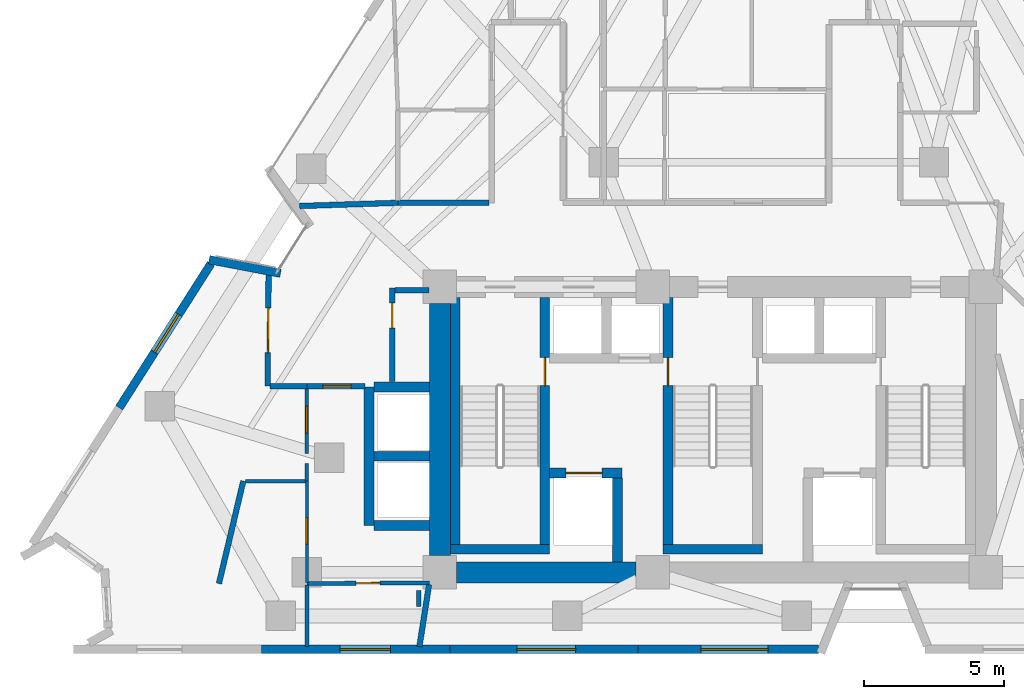
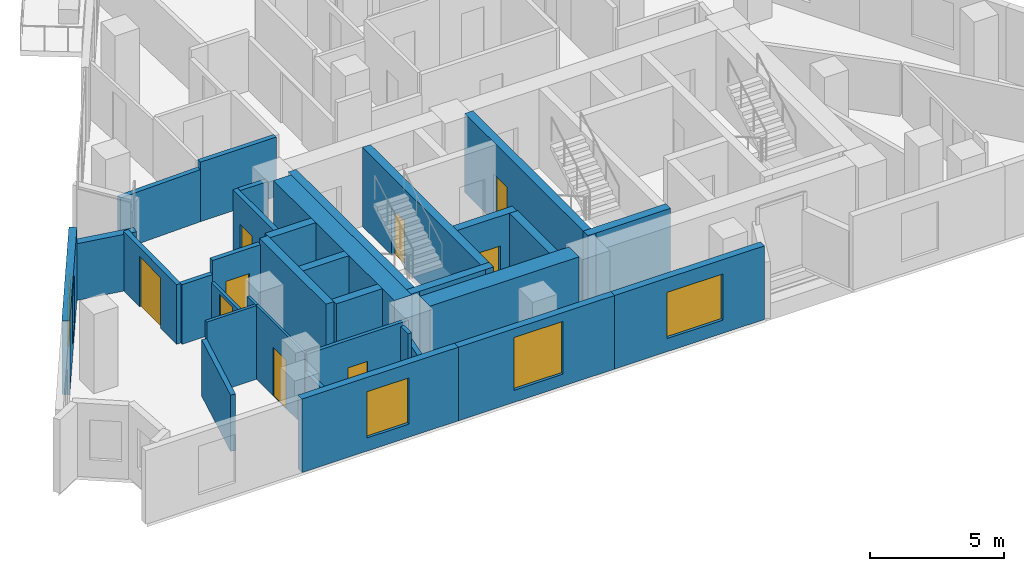
# One storey, part 5 of 11: 34 walls, 9 doors, 4 windows, 13 openings.
"""IFC4 building model written with IfcOpenShell, lengths in metres."""

from ifc_helpers import new_model, si_unit, direction, frame, frame_2d, origin, place, context, subcontext, project, spatial, rectangle, extrude, material, layer, layer_set, type_object, element, fill, save


model = new_model("IFC4")

# Units and contexts
model_context = context("Model", 3, precision=1e-05, world=origin(), true_north=direction((0.0, 1.0)))
body_context = subcontext(model_context, "Body", "Model", "MODEL_VIEW")
ifc_project = project(units=[si_unit("LENGTHUNIT", "METRE"), si_unit("AREAUNIT", "SQUARE_METRE"), si_unit("VOLUMEUNIT", "CUBIC_METRE"), si_unit("PLANEANGLEUNIT", "RADIAN"), si_unit("MASSUNIT", "GRAM", prefix="KILO")], contexts=[model_context])

# Site, building, storey
site_placement = place(None, origin())
site = spatial("IfcSite", under=ifc_project, at=site_placement, CompositionType="ELEMENT")
building_placement = place(site_placement, origin())
building = spatial("IfcBuilding", under=site, at=building_placement, Name="Almagre Mirador Tower", CompositionType="ELEMENT")
storey_placement = place(building_placement, frame((0.0, 0.0, 135.60009765625)))
storey = spatial("IfcBuildingStorey", under=building, at=storey_placement, Name="L34", CompositionType="ELEMENT", Elevation=135.60009765625)

# Wall
ifc_material_1 = material(Name="Precast concrete C50/60", Category="concrete")
ifc_layer_1 = layer(ifc_material_1, 0.300048828125)
ifc_layer_set_1 = layer_set([ifc_layer_1], Name="Precast concrete C50/60")
wall_type_1 = type_object("IfcWallType", Name="WAL-EXT-300", PredefinedType="SOLIDWALL", material=ifc_layer_set_1)
wall_1_placement = place(storey_placement, frame((19.3095703125, 15.71923828125, 0.0), z_axis=(0.0, 0.0, 1.0), x_axis=(0.982248657163, -0.187583516072, 0.0)))
element("IfcWall", 1, at=wall_1_placement, inside=storey, type_object=wall_type_1, Name="L34 expressed almagre precast frame wall 01", PredefinedType="SOLIDWALL", context=body_context, shape_type="SweptSolid", body=[
    extrude(rectangle(XDim=2.593994140625, YDim=0.300048828125, at=frame_2d((1.296875, 0.0))), origin(), (0.0, 0.0, 1.0), 2.574951171875),
])

# Wall, opening, window
wall_2_placement = place(storey_placement, frame((41.076904296875, 1.800048828125, 0.0), z_axis=(0.0, 0.0, 1.0), x_axis=(-1.0, 0.0, 0.0)))
wall_2 = element("IfcWall", 2, at=wall_2_placement, inside=storey, type_object=wall_type_1, Name="L34 expressed almagre precast frame wall 26", PredefinedType="SOLIDWALL", context=body_context, shape_type="SweptSolid", body=[
    extrude(rectangle(XDim=6.447998046875, YDim=0.300048828125, at=frame_2d((3.22412109375, 0.0))), origin(), (0.0, 0.0, 1.0), 3.349853515625),
])
opening_1_placement = place(wall_2_placement, frame((1.800048828125, 0.0, 0.60009765625)))
opening_1 = element("IfcOpeningElement", 3, at=opening_1_placement, cuts=wall_2, Name="Opening WN-02", PredefinedType="OPENING", context=body_context, shape_type="SweptSolid", body=[
    extrude(rectangle(XDim=2.39990234375, YDim=2.10009765625, at=frame_2d((1.199951171875, 1.050048828125))), frame((0.0, 0.159902, 0.0), z_axis=(0.0, -1.0, 0.0), x_axis=(1.0, 0.0, 0.0)), (0.0, 0.0, 1.0), 0.320049),
])
ifc_material_2 = material(Name="Dark solar-control laminated hurricane glass", Category="glass")
window_type_1 = type_object("IfcWindowType", Name="WIN-2400X2100", PartitioningType="TRIPLE_PANEL_VERTICAL", PredefinedType="WINDOW", material=ifc_material_2)
window_1_placement = place(opening_1_placement, origin())
window_1 = element("IfcWindow", 4, at=window_1_placement, inside=storey, type_object=window_type_1, Name="L34 recessed hurricane window L34-RST-C", OverallHeight=2.10009765625, OverallWidth=2.39990234375, PartitioningType="SINGLE_PANEL", PredefinedType="WINDOW", context=body_context, shape_type="SweptSolid", body=[
    extrude(rectangle(XDim=2.39990234375, YDim=2.10009765625, at=frame_2d((1.199951171875, 1.050048828125))), frame((0.0, 0.030029296875, 0.0), z_axis=(0.0, -1.0, 0.0), x_axis=(1.0, 0.0, 0.0)), (0.0, 0.0, 1.0), 0.06005859375),
])
fill(opening_1, window_1)

wall_3_placement = place(storey_placement, frame((34.62890625, 1.800048828125, 0.0), z_axis=(0.0, 0.0, 1.0), x_axis=(-1.0, 0.0, 0.0)))
wall_3 = element("IfcWall", 5, at=wall_3_placement, inside=storey, type_object=wall_type_1, Name="L34 expressed almagre precast frame wall 27", PredefinedType="SOLIDWALL", context=body_context, shape_type="SweptSolid", body=[
    extrude(rectangle(XDim=6.722900390625, YDim=0.300048828125, at=frame_2d((3.361328125, 0.0))), origin(), (0.0, 0.0, 1.0), 3.349853515625),
])
opening_2_placement = place(wall_3_placement, frame((2.22509765625, 0.0, 0.550048828125)))
opening_2 = element("IfcOpeningElement", 6, at=opening_2_placement, cuts=wall_3, Name="Opening WN-05", PredefinedType="OPENING", context=body_context, shape_type="SweptSolid", body=[
    extrude(rectangle(XDim=2.10009765625, YDim=2.39990234375, at=frame_2d((1.050048828125, 1.199951171875))), frame((0.0, 0.159902, 0.0), z_axis=(0.0, -1.0, 0.0), x_axis=(1.0, 0.0, 0.0)), (0.0, 0.0, 1.0), 0.320049),
])
ifc_material_3 = material(Name="Dark solar-control laminated hurricane glass", Category="glass")
window_type_2 = type_object("IfcWindowType", Name="WIN-2100X2400", PartitioningType="DOUBLE_PANEL_VERTICAL", PredefinedType="WINDOW", material=ifc_material_3)
window_2_placement = place(opening_2_placement, origin())
window_2 = element("IfcWindow", 7, at=window_2_placement, inside=storey, type_object=window_type_2, Name="L34 recessed hurricane window L34-RST-C", OverallHeight=2.39990234375, OverallWidth=2.10009765625, PartitioningType="SINGLE_PANEL", PredefinedType="WINDOW", context=body_context, shape_type="SweptSolid", body=[
    extrude(rectangle(XDim=2.10009765625, YDim=2.39990234375, at=frame_2d((1.050048828125, 1.199951171875))), frame((0.0, 0.030029296875, 0.0), z_axis=(0.0, -1.0, 0.0), x_axis=(1.0, 0.0, 0.0)), (0.0, 0.0, 1.0), 0.06005859375),
])
fill(opening_2, window_2)

wall_4_placement = place(storey_placement, frame((27.906005859375, 1.800048828125, 0.0), z_axis=(0.0, 0.0, 1.0), x_axis=(-1.0, 0.0, 0.0)))
wall_4 = element("IfcWall", 8, at=wall_4_placement, inside=storey, type_object=wall_type_1, Name="L34 expressed almagre precast frame wall 28", PredefinedType="SOLIDWALL", context=body_context, shape_type="SweptSolid", body=[
    extrude(rectangle(XDim=6.722900390625, YDim=0.300048828125, at=frame_2d((3.361328125, 0.0))), origin(), (0.0, 0.0, 1.0), 3.349853515625),
])
opening_3_placement = place(wall_4_placement, frame((2.125, 0.0, 0.60009765625)))
opening_3 = element("IfcOpeningElement", 9, at=opening_3_placement, cuts=wall_4, Name="Opening WN-01", PredefinedType="OPENING", context=body_context, shape_type="SweptSolid", body=[
    extrude(rectangle(XDim=1.800048828125, YDim=2.10009765625, at=frame_2d((0.89990234375, 1.050048828125))), frame((0.0, 0.159902, 0.0), z_axis=(0.0, -1.0, 0.0), x_axis=(1.0, 0.0, 0.0)), (0.0, 0.0, 1.0), 0.320049),
])
ifc_material_4 = material(Name="Dark solar-control laminated hurricane glass", Category="glass")
window_type_3 = type_object("IfcWindowType", Name="WIN-1800X2100", PartitioningType="DOUBLE_PANEL_VERTICAL", PredefinedType="WINDOW", material=ifc_material_4)
window_3_placement = place(opening_3_placement, origin())
window_3 = element("IfcWindow", 10, at=window_3_placement, inside=storey, type_object=window_type_3, Name="L34 recessed hurricane window L34-UB-HB", OverallHeight=2.10009765625, OverallWidth=1.800048828125, PartitioningType="SINGLE_PANEL", PredefinedType="WINDOW", context=body_context, shape_type="SweptSolid", body=[
    extrude(rectangle(XDim=1.800048828125, YDim=2.10009765625, at=frame_2d((0.89990234375, 1.050048828125))), frame((0.0, 0.030029296875, 0.0), z_axis=(0.0, -1.0, 0.0), x_axis=(1.0, 0.0, 0.0)), (0.0, 0.0, 1.0), 0.06005859375),
])
fill(opening_3, window_3)

wall_5_placement = place(storey_placement, frame((16.097900390625, 10.43359375, 0.0), z_axis=(0.0, 0.0, 1.0), x_axis=(0.537126867387, 0.843501469075, 0.0)))
wall_5 = element("IfcWall", 11, at=wall_5_placement, inside=storey, type_object=wall_type_1, Name="L34 expressed almagre precast frame wall 35", PredefinedType="SOLIDWALL", context=body_context, shape_type="SweptSolid", body=[
    extrude(rectangle(XDim=6.09521484375, YDim=0.300048828125, at=frame_2d((3.047607421875, 0.0))), origin(), (0.0, 0.0, 1.0), 3.349853515625),
])
opening_4_placement = place(wall_5_placement, frame((2.35009765625, 0.0, 0.550048828125)))
opening_4 = element("IfcOpeningElement", 12, at=opening_4_placement, cuts=wall_5, Name="Opening WN-06", PredefinedType="OPENING", context=body_context, shape_type="SweptSolid", body=[
    extrude(rectangle(XDim=1.60009765625, YDim=2.199951171875, at=frame_2d((0.800048828125, 1.10009765625))), frame((0.0, 0.159902, 0.0), z_axis=(0.0, -1.0, 0.0), x_axis=(1.0, 0.0, 0.0)), (0.0, 0.0, 1.0), 0.320049),
])
ifc_material_5 = material(Name="Dark solar-control laminated hurricane glass", Category="glass")
window_type_4 = type_object("IfcWindowType", Name="WIN-1600X2200", PartitioningType="DOUBLE_PANEL_VERTICAL", PredefinedType="WINDOW", material=ifc_material_5)
window_4_placement = place(opening_4_placement, origin())
window_4 = element("IfcWindow", 13, at=window_4_placement, inside=storey, type_object=window_type_4, Name="L34 recessed hurricane window L34-RST-A", OverallHeight=2.199951171875, OverallWidth=1.60009765625, PartitioningType="SINGLE_PANEL", PredefinedType="WINDOW", context=body_context, shape_type="SweptSolid", body=[
    extrude(rectangle(XDim=1.60009765625, YDim=2.199951171875, at=frame_2d((0.800048828125, 1.10009765625))), frame((0.0, 0.030029296875, 0.0), z_axis=(0.0, -1.0, 0.0), x_axis=(1.0, 0.0, 0.0)), (0.0, 0.0, 1.0), 0.06005859375),
])
fill(opening_4, window_4)

# Wall, opening, door
ifc_material_6 = material(Name="Gypsum acoustic stud partition", Category="other")
ifc_layer_2 = layer(ifc_material_6, 0.10009765625)
ifc_layer_set_2 = layer_set([ifc_layer_2], Name="Gypsum acoustic stud partition")
wall_type_2 = type_object("IfcWallType", Name="WAL-PRT-100-CLS", PredefinedType="PARTITIONING", material=ifc_layer_set_2)
wall_6_placement = place(storey_placement, frame((22.800048828125, 7.81005859375, 0.0), z_axis=(0.0, 0.0, 1.0), x_axis=(0.0, -1.0, 0.0)))
wall_6 = element("IfcWall", 14, at=wall_6_placement, inside=storey, type_object=wall_type_2, Name="L34 interior partition 026", PredefinedType="PARTITIONING", context=body_context, shape_type="SweptSolid", body=[
    extrude(rectangle(XDim=3.6201171875, YDim=0.10009765625, at=frame_2d((1.81005859375, 0.0))), origin(), (0.0, 0.0, 1.0), 3.349853515625),
])
opening_5_placement = place(wall_6_placement, frame((1.302001953125, 0.0, 0.0)))
opening_5 = element("IfcOpeningElement", 15, at=opening_5_placement, cuts=wall_6, Name="Opening UD-01", PredefinedType="OPENING", context=body_context, shape_type="SweptSolid", body=[
    extrude(rectangle(XDim=0.949951171875, YDim=2.199951171875, at=frame_2d((0.47509765625, 1.10009765625))), frame((0.0, 0.060049, 0.0), z_axis=(0.0, -1.0, 0.0), x_axis=(1.0, 0.0, 0.0)), (0.0, 0.0, 1.0), 0.120098),
])
ifc_material_7 = material(Name="Solid American walnut timber", Category="wood")
door_type_1 = type_object("IfcDoorType", Name="DOR-UNR-950X2200", OperationType="NOTDEFINED", PredefinedType="DOOR", material=ifc_material_7)
door_1_placement = place(opening_5_placement, origin())
door_1 = element("IfcDoor", 16, at=door_1_placement, inside=storey, type_object=door_type_1, Name="DR-1112 L34 interior door L34-UB-ST to L34-UB-ST1", OperationType="SINGLE_SWING_LEFT", OverallHeight=2.199951171875, OverallWidth=0.949951171875, PredefinedType="DOOR", context=body_context, shape_type="SweptSolid", body=[
    extrude(rectangle(XDim=0.949951171875, YDim=2.199951171875, at=frame_2d((0.47509765625, 1.10009765625))), frame((0.0, 0.02490234375, 0.0), z_axis=(0.0, -1.0, 0.0), x_axis=(1.0, 0.0, 0.0)), (0.0, 0.0, 1.0), 0.050048828125),
])
fill(opening_5, door_1)

# Wall
ifc_material_8 = material(Name="Gypsum acoustic stud partition", Category="other")
ifc_layer_3 = layer(ifc_material_8, 0.125)
ifc_layer_set_3 = layer_set([ifc_layer_3], Name="Gypsum acoustic stud partition")
wall_type_3 = type_object("IfcWallType", Name="WAL-PRT-125-UTL", PredefinedType="PARTITIONING", material=ifc_layer_set_3)
wall_7_placement = place(storey_placement, frame((22.800048828125, 8.429931640625, 0.0), z_axis=(0.0, 0.0, 1.0), x_axis=(0.0, -1.0, 0.0)))
element("IfcWall", 17, at=wall_7_placement, inside=storey, type_object=wall_type_3, Name="L34 interior partition 024", PredefinedType="PARTITIONING", context=body_context, shape_type="SweptSolid", body=[
    extrude(rectangle(XDim=0.619873046875, YDim=0.125, at=frame_2d((0.31005859375, 0.0))), origin(), (0.0, 0.0, 1.0), 3.349853515625),
])

# Wall, opening, door
wall_8_placement = place(storey_placement, frame((22.800048828125, 11.114990234375, 0.0), z_axis=(0.0, 0.0, 1.0), x_axis=(0.0, -1.0, 0.0)))
wall_8 = element("IfcWall", 18, at=wall_8_placement, inside=storey, type_object=wall_type_3, Name="L34 interior partition 025", PredefinedType="PARTITIONING", context=body_context, shape_type="SweptSolid", body=[
    extrude(rectangle(XDim=2.31494140625, YDim=0.125, at=frame_2d((1.157470703125, 0.0))), origin(), (0.0, 0.0, 1.0), 2.371826171875),
])
opening_6_placement = place(wall_8_placement, frame((0.639892578125, 0.0, 0.0)))
opening_6 = element("IfcOpeningElement", 19, at=opening_6_placement, cuts=wall_8, Name="Opening UD-01", PredefinedType="OPENING", context=body_context, shape_type="SweptSolid", body=[
    extrude(rectangle(XDim=0.949951171875, YDim=2.199951171875, at=frame_2d((0.47509765625, 1.10009765625))), frame((0.0, 0.0725, 0.0), z_axis=(0.0, -1.0, 0.0), x_axis=(1.0, 0.0, 0.0)), (0.0, 0.0, 1.0), 0.145),
])
door_2_placement = place(opening_6_placement, origin())
door_2 = element("IfcDoor", 20, at=door_2_placement, inside=storey, type_object=door_type_1, Name="DR-1111 L34 interior door L34-UB-ST to L34-UB-KT", OperationType="SINGLE_SWING_RIGHT", OverallHeight=2.199951171875, OverallWidth=0.949951171875, PredefinedType="DOOR", context=body_context, shape_type="SweptSolid", body=[
    extrude(rectangle(XDim=0.949951171875, YDim=2.199951171875, at=frame_2d((0.47509765625, 1.10009765625))), frame((0.0, 0.02490234375, 0.0), z_axis=(0.0, -1.0, 0.0), x_axis=(1.0, 0.0, 0.0)), (0.0, 0.0, 1.0), 0.050048828125),
])
fill(opening_6, door_2)

# Wall
wall_9_placement = place(storey_placement, frame((20.614990234375, 7.81005859375, 0.0), z_axis=(0.0, 0.0, 1.0), x_axis=(1.0, 0.0, 0.0)))
element("IfcWall", 21, at=wall_9_placement, inside=storey, type_object=wall_type_3, Name="L34 interior partition 028", PredefinedType="PARTITIONING", context=body_context, shape_type="SweptSolid", body=[
    extrude(rectangle(XDim=2.137451171875, YDim=0.125, at=frame_2d((1.06884765625, 0.0))), origin(), (0.0, 0.0, 1.0), 3.349853515625),
])

# Wall, opening, door
ifc_material_9 = material(Name="Gypsum acoustic stud partition", Category="other")
ifc_layer_4 = layer(ifc_material_9, 0.14990234375)
ifc_layer_set_4 = layer_set([ifc_layer_4], Name="Gypsum acoustic stud partition")
wall_type_4 = type_object("IfcWallType", Name="WAL-PRT-150-STD", PredefinedType="PARTITIONING", material=ifc_layer_set_4)
wall_10_placement = place(storey_placement, frame((22.800048828125, 4.14990234375, 0.0), z_axis=(0.0, 0.0, 1.0), x_axis=(0.999983481992, 0.005747672915, 0.0)))
wall_10 = element("IfcWall", 22, at=wall_10_placement, inside=storey, type_object=wall_type_4, Name="L34 interior partition 023", PredefinedType="PARTITIONING", context=body_context, shape_type="SweptSolid", body=[
    extrude(rectangle(XDim=4.375, YDim=0.14990234375, at=frame_2d((2.1875, 0.0))), origin(), (0.0, 0.0, 1.0), 3.349853515625),
])
opening_7_placement = place(wall_10_placement, frame((1.762451171875, 0.0, 0.0)))
opening_7 = element("IfcOpeningElement", 23, at=opening_7_placement, cuts=wall_10, Name="Opening UD-04", PredefinedType="OPENING", context=body_context, shape_type="SweptSolid", body=[
    extrude(rectangle(XDim=0.85009765625, YDim=2.10009765625, at=frame_2d((0.425048828125, 1.050048828125))), frame((0.0, 0.084951, 0.0), z_axis=(0.0, -1.0, 0.0), x_axis=(1.0, 0.0, 0.0)), (0.0, 0.0, 1.0), 0.169902),
])
ifc_material_10 = material(Name="Moisture-resistant oak timber", Category="wood")
door_type_2 = type_object("IfcDoorType", Name="DOR-UNR-850X2100", OperationType="NOTDEFINED", PredefinedType="DOOR", material=ifc_material_10)
door_3_placement = place(opening_7_placement, origin())
door_3 = element("IfcDoor", 24, at=door_3_placement, inside=storey, type_object=door_type_2, Name="DR-1113 L34 interior door L34-UB-ST to L34-UB-HB", OperationType="SINGLE_SWING_RIGHT", OverallHeight=2.10009765625, OverallWidth=0.85009765625, PredefinedType="DOOR", context=body_context, shape_type="SweptSolid", body=[
    extrude(rectangle(XDim=0.85009765625, YDim=2.10009765625, at=frame_2d((0.425048828125, 1.050048828125))), frame((0.0, 0.02490234375, 0.0), z_axis=(0.0, -1.0, 0.0), x_axis=(1.0, 0.0, 0.0)), (0.0, 0.0, 1.0), 0.050048828125),
])
fill(opening_7, door_3)

# Walls
wall_11_placement = place(storey_placement, frame((22.800048828125, 4.090087890625, 0.0), z_axis=(0.0, 0.0, 1.0), x_axis=(0.0, -1.0, 0.0)))
element("IfcWall", 25, at=wall_11_placement, inside=storey, type_object=wall_type_4, Name="L34 interior partition 068", PredefinedType="PARTITIONING", context=body_context, shape_type="SweptSolid", body=[
    extrude(rectangle(XDim=2.190185546875, YDim=0.14990234375, at=frame_2d((1.09521484375, 0.0))), origin(), (0.0, 0.0, 1.0), 2.56982421875),
])
wall_12_placement = place(storey_placement, frame((26.800048828125, 3.339111328125, 0.0), z_axis=(0.0, 0.0, 1.0), x_axis=(0.0, 1.0, 0.0)))
element("IfcWall", 26, at=wall_12_placement, inside=storey, type_object=wall_type_4, Name="L34 interior partition 069", PredefinedType="PARTITIONING", context=body_context, shape_type="SweptSolid", body=[
    extrude(rectangle(XDim=0.555908203125, YDim=0.14990234375, at=frame_2d((0.27783203125, 0.0))), origin(), (0.0, 0.0, 1.0), 3.349853515625),
])

# Wall, opening, door
ifc_material_11 = material(Name="Gypsum acoustic stud partition", Category="other")
ifc_layer_5 = layer(ifc_material_11, 0.199951171875)
ifc_layer_set_5 = layer_set([ifc_layer_5], Name="Gypsum acoustic stud partition")
wall_type_5 = type_object("IfcWallType", Name="WAL-PRT-200-EI60", PredefinedType="PARTITIONING", material=ifc_layer_set_5)
wall_13_placement = place(storey_placement, frame((25.85009765625, 11.3701171875, 0.0), z_axis=(0.0, 0.0, 1.0), x_axis=(0.0, 1.0, 0.0)))
wall_13 = element("IfcWall", 27, at=wall_13_placement, inside=storey, type_object=wall_type_5, Name="L34 core ancillary west wall", PredefinedType="PARTITIONING", context=body_context, shape_type="SweptSolid", body=[
    extrude(rectangle(XDim=3.33984375, YDim=0.199951171875, at=frame_2d((1.669921875, 0.0))), origin(), (0.0, 0.0, 1.0), 3.349853515625),
])
opening_8_placement = place(wall_13_placement, frame((1.89990234375, 0.0, 0.0)))
opening_8 = element("IfcOpeningElement", 28, at=opening_8_placement, cuts=wall_13, Name="Opening ID-03", PredefinedType="OPENING", context=body_context, shape_type="SweptSolid", body=[
    extrude(rectangle(XDim=0.89990234375, YDim=2.10009765625, at=frame_2d((0.449951171875, 1.050048828125))), frame((0.0, 0.110098, 0.0), z_axis=(0.0, -1.0, 0.0), x_axis=(1.0, 0.0, 0.0)), (0.0, 0.0, 1.0), 0.219951),
])
ifc_material_12 = material(Name="Fire-rated hollow steel", Category="steel")
door_type_3 = type_object("IfcDoorType", Name="DOR-FD60-900X2100", OperationType="NOTDEFINED", PredefinedType="DOOR", material=ifc_material_12)
door_4_placement = place(opening_8_placement, origin())
door_4 = element("IfcDoor", 29, at=door_4_placement, inside=storey, type_object=door_type_3, Name="DR-1101 L34 core ancillary corridor door", OperationType="SINGLE_SWING_RIGHT", OverallHeight=2.10009765625, OverallWidth=0.89990234375, PredefinedType="DOOR", context=body_context, shape_type="SweptSolid", body=[
    extrude(rectangle(XDim=0.89990234375, YDim=2.10009765625, at=frame_2d((0.449951171875, 1.050048828125))), frame((0.0, 0.02490234375, 0.0), z_axis=(0.0, -1.0, 0.0), x_axis=(1.0, 0.0, 0.0)), (0.0, 0.0, 1.0), 0.050048828125),
])
fill(opening_8, door_4)

# Wall
wall_14_placement = place(storey_placement, frame((25.955078125, 14.6201171875, 0.0), z_axis=(0.0, 0.0, 1.0), x_axis=(1.0, 0.0, 0.0)))
element("IfcWall", 30, at=wall_14_placement, inside=storey, type_object=wall_type_5, Name="L34 core ancillary north wall", PredefinedType="PARTITIONING", context=body_context, shape_type="SweptSolid", body=[
    extrude(rectangle(XDim=1.204833984375, YDim=0.199951171875, at=frame_2d((0.6025390625, 0.0))), origin(), (0.0, 0.0, 1.0), 3.349853515625),
])

# Wall, opening, door
wall_15_placement = place(storey_placement, frame((21.43408203125, 15.215087890625, 0.0), z_axis=(0.0, 0.0, 1.0), x_axis=(-0.008512399832, -0.999963768868, 0.0)))
wall_15 = element("IfcWall", 31, at=wall_15_placement, inside=storey, type_object=wall_type_5, Name="L34 interior partition 001", PredefinedType="PARTITIONING", context=body_context, shape_type="SweptSolid", body=[
    extrude(rectangle(XDim=4.015380859375, YDim=0.199951171875, at=frame_2d((2.0078125, 0.0))), origin(), (0.0, 0.0, 1.0), 2.708984375),
])
opening_9_placement = place(wall_15_placement, frame((1.217041015625, 0.0, 0.0)))
opening_9 = element("IfcOpeningElement", 32, at=opening_9_placement, cuts=wall_15, Name="Opening ID-05", PredefinedType="OPENING", context=body_context, shape_type="SweptSolid", body=[
    extrude(rectangle(XDim=1.60009765625, YDim=2.300048828125, at=frame_2d((0.800048828125, 1.14990234375))), frame((0.0, 0.110098, 0.0), z_axis=(0.0, -1.0, 0.0), x_axis=(1.0, 0.0, 0.0)), (0.0, 0.0, 1.0), 0.219951),
])
ifc_material_13 = material(Name="Fire-rated acoustic timber", Category="wood")
door_type_4 = type_object("IfcDoorType", Name="DOR-FD60-1600X2300", OperationType="DOUBLE_DOOR_SINGLE_SWING", PredefinedType="DOOR", material=ifc_material_13)
door_5_placement = place(opening_9_placement, origin())
door_5 = element("IfcDoor", 33, at=door_5_placement, inside=storey, type_object=door_type_4, Name="DR-1106 L34 interior door L34-RCOR to L34-RST-A", OperationType="DOUBLE_DOOR_SINGLE_SWING", OverallHeight=2.300048828125, OverallWidth=1.60009765625, PredefinedType="DOOR", context=body_context, shape_type="SweptSolid", body=[
    extrude(rectangle(XDim=1.60009765625, YDim=2.300048828125, at=frame_2d((0.800048828125, 1.14990234375))), frame((0.0, 0.02490234375, 0.0), z_axis=(0.0, -1.0, 0.0), x_axis=(1.0, 0.0, 0.0)), (0.0, 0.0, 1.0), 0.050048828125),
])
fill(opening_9, door_5)

wall_16_placement = place(storey_placement, frame((22.800048828125, 11.199951171875, 0.0), z_axis=(0.0, 0.0, 1.0), x_axis=(1.0, 0.0, 0.0)))
wall_16 = element("IfcWall", 34, at=wall_16_placement, inside=storey, type_object=wall_type_5, Name="L34 interior partition 002", PredefinedType="PARTITIONING", context=body_context, shape_type="SweptSolid", body=[
    extrude(rectangle(XDim=2.069091796875, YDim=0.199951171875, at=frame_2d((1.03466796875, 0.0))), origin(), (0.0, 0.0, 1.0), 3.349853515625),
])
opening_10_placement = place(wall_16_placement, frame((0.574951171875, 0.0, 0.0)))
opening_10 = element("IfcOpeningElement", 35, at=opening_10_placement, cuts=wall_16, Name="Opening ID-01", PredefinedType="OPENING", context=body_context, shape_type="SweptSolid", body=[
    extrude(rectangle(XDim=1.0, YDim=2.199951171875, at=frame_2d((0.5, 1.10009765625))), frame((0.0, 0.110098, 0.0), z_axis=(0.0, -1.0, 0.0), x_axis=(1.0, 0.0, 0.0)), (0.0, 0.0, 1.0), 0.219951),
])
ifc_material_14 = material(Name="Fire-rated walnut timber", Category="wood")
door_type_5 = type_object("IfcDoorType", Name="DOR-FD60-1000X2200", OperationType="NOTDEFINED", PredefinedType="DOOR", material=ifc_material_14)
door_6_placement = place(opening_10_placement, origin())
door_6 = element("IfcDoor", 36, at=door_6_placement, inside=storey, type_object=door_type_5, Name="DR-1110 L34 interior door L34-RCOR to L34-UB-ST", OperationType="SINGLE_SWING_LEFT", OverallHeight=2.199951171875, OverallWidth=1.0, PredefinedType="DOOR", context=body_context, shape_type="SweptSolid", body=[
    extrude(rectangle(XDim=1.0, YDim=2.199951171875, at=frame_2d((0.5, 1.10009765625))), frame((0.0, 0.02490234375, 0.0), z_axis=(0.0, -1.0, 0.0), x_axis=(1.0, 0.0, 0.0)), (0.0, 0.0, 1.0), 0.050048828125),
])
fill(opening_10, door_6)

# Walls
wall_17_placement = place(storey_placement, frame((21.485107421875, 11.199951171875, 0.0), z_axis=(0.0, 0.0, 1.0), x_axis=(1.0, 0.0, 0.0)))
element("IfcWall", 37, at=wall_17_placement, inside=storey, type_object=wall_type_5, Name="L34 interior partition 003", PredefinedType="PARTITIONING", context=body_context, shape_type="SweptSolid", body=[
    extrude(rectangle(XDim=1.31494140625, YDim=0.199951171875, at=frame_2d((0.657470703125, 0.0))), origin(), (0.0, 0.0, 1.0), 2.708984375),
])
wall_18_placement = place(storey_placement, frame((26.050048828125, 17.75, 0.0), z_axis=(0.0, 0.0, 1.0), x_axis=(-0.999471688419, -0.032501446869, 0.0)))
element("IfcWall", 38, at=wall_18_placement, inside=storey, type_object=wall_type_5, Name="L34 interior partition 009", PredefinedType="PARTITIONING", context=body_context, shape_type="SweptSolid", body=[
    extrude(rectangle(XDim=3.508056640625, YDim=0.199951171875, at=frame_2d((1.75390625, 0.0))), origin(), (0.0, 0.0, 1.0), 2.371826171875),
])
wall_19_placement = place(storey_placement, frame((29.31494140625, 17.75, 0.0), z_axis=(0.0, 0.0, 1.0), x_axis=(-1.0, 0.0, 0.0)))
element("IfcWall", 39, at=wall_19_placement, inside=storey, type_object=wall_type_5, Name="L34 interior partition 011", PredefinedType="PARTITIONING", context=body_context, shape_type="SweptSolid", body=[
    extrude(rectangle(XDim=3.264892578125, YDim=0.199951171875, at=frame_2d((1.63232421875, 0.0))), origin(), (0.0, 0.0, 1.0), 2.708984375),
])
wall_20_placement = place(storey_placement, frame((19.659912109375, 4.14990234375, 0.0), z_axis=(0.0, 0.0, 1.0), x_axis=(0.231281283295, 0.972886924569, 0.0)))
element("IfcWall", 40, at=wall_20_placement, inside=storey, type_object=wall_type_5, Name="L34 interior partition 022", PredefinedType="PARTITIONING", context=body_context, shape_type="SweptSolid", body=[
    extrude(rectangle(XDim=3.76220703125, YDim=0.199951171875, at=frame_2d((1.881103515625, 0.0))), origin(), (0.0, 0.0, 1.0), 2.56982421875),
])
wall_21_placement = place(storey_placement, frame((26.821044921875, 1.89794921875, 0.0), z_axis=(0.0, 0.0, 1.0), x_axis=(0.153487503402, 0.988150588878, 0.0)))
element("IfcWall", 41, at=wall_21_placement, inside=storey, type_object=wall_type_5, Name="L34 interior partition 027", PredefinedType="PARTITIONING", context=body_context, shape_type="SweptSolid", body=[
    extrude(rectangle(XDim=2.244384765625, YDim=0.199951171875, at=frame_2d((1.1220703125, 0.0))), origin(), (0.0, 0.0, 1.0), 2.56982421875),
])
ifc_material_15 = material(Name="Concrete C60/75", Category="concrete")
ifc_layer_6 = layer(ifc_material_15, 0.35009765625)
ifc_layer_set_6 = layer_set([ifc_layer_6], Name="Concrete C60/75")
wall_type_6 = type_object("IfcWallType", Name="WAL-SHF-350", PredefinedType="SOLIDWALL", material=ifc_layer_set_6)
wall_22_placement = place(storey_placement, frame((28.10009765625, 5.199951171875, 0.0), z_axis=(0.0, 0.0, 1.0), x_axis=(0.0, 1.0, 0.0)))
element("IfcWall", 42, at=wall_22_placement, inside=storey, type_object=wall_type_6, Name="L34 shaft wall ST1-W", PredefinedType="SOLIDWALL", context=body_context, shape_type="SweptSolid", body=[
    extrude(rectangle(XDim=9.175048828125, YDim=0.35009765625, at=frame_2d((4.58740234375, 0.0))), origin(), (0.0, 0.0, 1.0), 3.599853515625),
])

# Wall, opening, door
wall_23_placement = place(storey_placement, frame((31.300048828125, 5.199951171875, 0.0), z_axis=(0.0, 0.0, 1.0), x_axis=(0.0, 1.0, 0.0)))
wall_23 = element("IfcWall", 43, at=wall_23_placement, inside=storey, type_object=wall_type_6, Name="L34 shaft wall ST1-E", PredefinedType="SOLIDWALL", context=body_context, shape_type="SweptSolid", body=[
    extrude(rectangle(XDim=9.175048828125, YDim=0.35009765625, at=frame_2d((4.58740234375, 0.0))), origin(), (0.0, 0.0, 1.0), 3.599853515625),
])
opening_11_placement = place(wall_23_placement, frame((6.02001953125, 0.0, 0.0)))
opening_11 = element("IfcOpeningElement", 44, at=opening_11_placement, cuts=wall_23, Name="Opening FD-01", PredefinedType="OPENING", context=body_context, shape_type="SweptSolid", body=[
    extrude(rectangle(XDim=1.0, YDim=2.14990234375, at=frame_2d((0.5, 1.074951171875))), frame((0.0, 0.185049, 0.0), z_axis=(0.0, -1.0, 0.0), x_axis=(1.0, 0.0, 0.0)), (0.0, 0.0, 1.0), 0.370098),
])
ifc_material_16 = material(Name="Fire-rated hollow steel", Category="steel")
door_type_6 = type_object("IfcDoorType", Name="DOR-FFL-1000X2150", OperationType="NOTDEFINED", PredefinedType="DOOR", material=ifc_material_16)
door_7_placement = place(opening_11_placement, origin())
door_7 = element("IfcDoor", 45, at=door_7_placement, inside=storey, type_object=door_type_6, Name="DR-1102 L34 FFL1-ST1 smokeproof door", OperationType="SINGLE_SWING_RIGHT", OverallHeight=2.14990234375, OverallWidth=1.0, PredefinedType="DOOR", context=body_context, shape_type="SweptSolid", body=[
    extrude(rectangle(XDim=1.0, YDim=2.14990234375, at=frame_2d((0.5, 1.074951171875))), frame((0.0, 0.02490234375, 0.0), z_axis=(0.0, -1.0, 0.0), x_axis=(1.0, 0.0, 0.0)), (0.0, 0.0, 1.0), 0.050048828125),
])
fill(opening_11, door_7)

# Wall
wall_24_placement = place(storey_placement, frame((27.925048828125, 5.375, 0.0), z_axis=(0.0, 0.0, 1.0), x_axis=(1.0, 0.0, 0.0)))
element("IfcWall", 46, at=wall_24_placement, inside=storey, type_object=wall_type_6, Name="L34 shaft wall ST1-S", PredefinedType="SOLIDWALL", context=body_context, shape_type="SweptSolid", body=[
    extrude(rectangle(XDim=3.550048828125, YDim=0.35009765625, at=frame_2d((1.77490234375, 0.0))), origin(), (0.0, 0.0, 1.0), 3.599853515625),
])

# Wall, opening, door
wall_25_placement = place(storey_placement, frame((35.699951171875, 5.199951171875, 0.0), z_axis=(0.0, 0.0, 1.0), x_axis=(0.0, 1.0, 0.0)))
wall_25 = element("IfcWall", 47, at=wall_25_placement, inside=storey, type_object=wall_type_6, Name="L34 shaft wall ST2-W", PredefinedType="SOLIDWALL", context=body_context, shape_type="SweptSolid", body=[
    extrude(rectangle(XDim=9.175048828125, YDim=0.35009765625, at=frame_2d((4.58740234375, 0.0))), origin(), (0.0, 0.0, 1.0), 3.599853515625),
])
opening_12_placement = place(wall_25_placement, frame((6.02001953125, 0.0, 0.0)))
opening_12 = element("IfcOpeningElement", 48, at=opening_12_placement, cuts=wall_25, Name="Opening FD-01", PredefinedType="OPENING", context=body_context, shape_type="SweptSolid", body=[
    extrude(rectangle(XDim=1.0, YDim=2.14990234375, at=frame_2d((0.5, 1.074951171875))), frame((0.0, 0.185049, 0.0), z_axis=(0.0, -1.0, 0.0), x_axis=(1.0, 0.0, 0.0)), (0.0, 0.0, 1.0), 0.370098),
])
door_8_placement = place(opening_12_placement, origin())
door_8 = element("IfcDoor", 49, at=door_8_placement, inside=storey, type_object=door_type_6, Name="DR-1103 L34 FFL1-ST2 smokeproof door", OperationType="SINGLE_SWING_LEFT", OverallHeight=2.14990234375, OverallWidth=1.0, PredefinedType="DOOR", context=body_context, shape_type="SweptSolid", body=[
    extrude(rectangle(XDim=1.0, YDim=2.14990234375, at=frame_2d((0.5, 1.074951171875))), frame((0.0, 0.02490234375, 0.0), z_axis=(0.0, -1.0, 0.0), x_axis=(1.0, 0.0, 0.0)), (0.0, 0.0, 1.0), 0.050048828125),
])
fill(opening_12, door_8)

# Wall
wall_26_placement = place(storey_placement, frame((35.52490234375, 5.375, 0.0), z_axis=(0.0, 0.0, 1.0), x_axis=(1.0, 0.0, 0.0)))
element("IfcWall", 50, at=wall_26_placement, inside=storey, type_object=wall_type_6, Name="L34 shaft wall ST2-S", PredefinedType="SOLIDWALL", context=body_context, shape_type="SweptSolid", body=[
    extrude(rectangle(XDim=3.550048828125, YDim=0.35009765625, at=frame_2d((1.77490234375, 0.0))), origin(), (0.0, 0.0, 1.0), 3.599853515625),
])

# Wall, opening, door
wall_27_placement = place(storey_placement, frame((31.47509765625, 8.10009765625, 0.0), z_axis=(0.0, 0.0, 1.0), x_axis=(1.0, 0.0, 0.0)))
wall_27 = element("IfcWall", 51, at=wall_27_placement, inside=storey, type_object=wall_type_6, Name="L34 shaft wall FSAE1-N", PredefinedType="SOLIDWALL", context=body_context, shape_type="SweptSolid", body=[
    extrude(rectangle(XDim=2.574951171875, YDim=0.35009765625, at=frame_2d((1.28759765625, 0.0))), origin(), (0.0, 0.0, 1.0), 3.599853515625),
])
opening_13_placement = place(wall_27_placement, frame((0.574951171875, 0.0, 0.0)))
opening_13 = element("IfcOpeningElement", 52, at=opening_13_placement, cuts=wall_27, Name="Opening LD-03", PredefinedType="OPENING", context=body_context, shape_type="SweptSolid", body=[
    extrude(rectangle(XDim=1.300048828125, YDim=2.25, at=frame_2d((0.64990234375, 1.125))), frame((0.0, 0.185049, 0.0), z_axis=(0.0, -1.0, 0.0), x_axis=(1.0, 0.0, 0.0)), (0.0, 0.0, 1.0), 0.370098),
])
ifc_material_17 = material(Name="Hollow stainless steel", Category="steel")
door_type_7 = type_object("IfcDoorType", Name="DOR-LD-1300X2250", OperationType="DOUBLE_DOOR_SLIDING", PredefinedType="DOOR", material=ifc_material_17)
door_9_placement = place(opening_13_placement, origin())
door_9 = element("IfcDoor", 53, at=door_9_placement, inside=storey, type_object=door_type_7, Name="DR-1133 L34 FSAE-1 lift landing door", OperationType="DOUBLE_DOOR_SLIDING", OverallHeight=2.25, OverallWidth=1.300048828125, PredefinedType="DOOR", context=body_context, shape_type="SweptSolid", body=[
    extrude(rectangle(XDim=1.300048828125, YDim=2.25, at=frame_2d((0.64990234375, 1.125))), frame((0.0, 0.02490234375, 0.0), z_axis=(0.0, -1.0, 0.0), x_axis=(1.0, 0.0, 0.0)), (0.0, 0.0, 1.0), 0.050048828125),
])
fill(opening_13, door_9)

# Walls
wall_28_placement = place(storey_placement, frame((33.89990234375, 4.925048828125, 0.0), z_axis=(0.0, 0.0, 1.0), x_axis=(0.0, 1.0, 0.0)))
element("IfcWall", 54, at=wall_28_placement, inside=storey, type_object=wall_type_6, Name="L34 shaft wall FSAE1-E", PredefinedType="SOLIDWALL", context=body_context, shape_type="SweptSolid", body=[
    extrude(rectangle(XDim=3.0, YDim=0.35009765625, at=frame_2d((1.5, 0.0))), origin(), (0.0, 0.0, 1.0), 3.599853515625),
])
wall_29_placement = place(storey_placement, frame((25.02490234375, 6.22509765625, 0.0), z_axis=(0.0, 0.0, 1.0), x_axis=(0.0, 1.0, 0.0)))
element("IfcWall", 55, at=wall_29_placement, inside=storey, type_object=wall_type_6, Name="L34 shaft wall OL-W", PredefinedType="SOLIDWALL", context=body_context, shape_type="SweptSolid", body=[
    extrude(rectangle(XDim=4.949951171875, YDim=0.35009765625, at=frame_2d((2.47509765625, 0.0))), origin(), (0.0, 0.0, 1.0), 3.599853515625),
])
for number, where, z_axis, x_axis, name in (
    (56, (25.199951171875, 6.22509765625, 0.0), (0.0, 0.0, 1.0), (1.0, 0.0, 0.0), "L34 shaft wall OL-S"),
    (57, (25.199951171875, 8.699951171875, 0.0), (0.0, 0.0, 1.0), (1.0, 0.0, 0.0), "L34 shaft wall OL-M"),
    (58, (25.199951171875, 11.175048828125, 0.0), (0.0, 0.0, 1.0), (1.0, 0.0, 0.0), "L34 shaft wall OL-N"),
):
    element("IfcWall", number, at=place(storey_placement, frame(where, z_axis=z_axis, x_axis=x_axis)), inside=storey, type_object=wall_type_6, Name=name, PredefinedType="SOLIDWALL", context=body_context, shape_type="SweptSolid", body=[
        extrude(rectangle(XDim=1.97509765625, YDim=0.35009765625, at=frame_2d((0.987548828125, 0.0))), origin(), (0.0, 0.0, 1.0), 3.599853515625),
    ])
ifc_material_18 = material(Name="Concrete C60/75", Category="concrete")
ifc_layer_7 = layer(ifc_material_18, 0.75)
ifc_layer_set_7 = layer_set([ifc_layer_7], Name="Concrete C60/75")
wall_type_7 = type_object("IfcWallType", Name="WAL-SHR-750", PredefinedType="SHEAR", material=ifc_layer_set_7)
wall_30_placement = place(storey_placement, frame((28.14990234375, 4.550048828125, 0.0), z_axis=(0.0, 0.0, 1.0), x_axis=(1.0, 0.0, 0.0)))
element("IfcWall", 59, at=wall_30_placement, inside=storey, type_object=wall_type_7, Name="L34 core shear wall S1", PredefinedType="SHEAR", context=body_context, shape_type="SweptSolid", body=[
    extrude(rectangle(XDim=6.400146484375, YDim=0.75, at=frame_2d((3.2001953125, 0.0))), origin(), (0.0, 0.0, 1.0), 3.599853515625),
])
wall_31_placement = place(storey_placement, frame((27.550048828125, 5.14990234375, 0.0), z_axis=(0.0, 0.0, 1.0), x_axis=(0.0, 1.0, 0.0)))
element("IfcWall", 60, at=wall_31_placement, inside=storey, type_object=wall_type_7, Name="L34 core shear wall W1", PredefinedType="SHEAR", context=body_context, shape_type="SweptSolid", body=[
    extrude(rectangle(XDim=9.0, YDim=0.75, at=frame_2d((4.5, 0.0))), origin(), (0.0, 0.0, 1.0), 3.599853515625),
])

save(model, "model.ifc")
